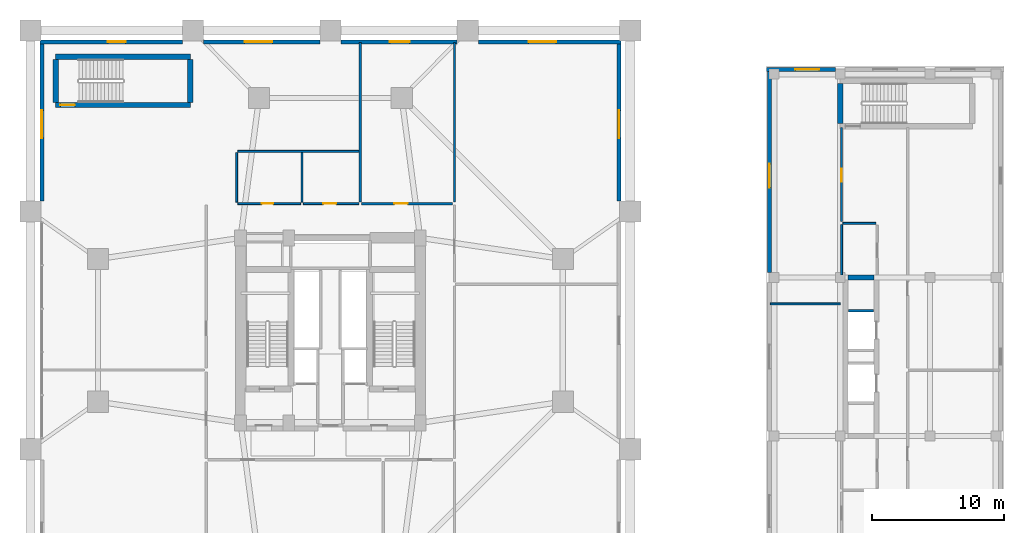
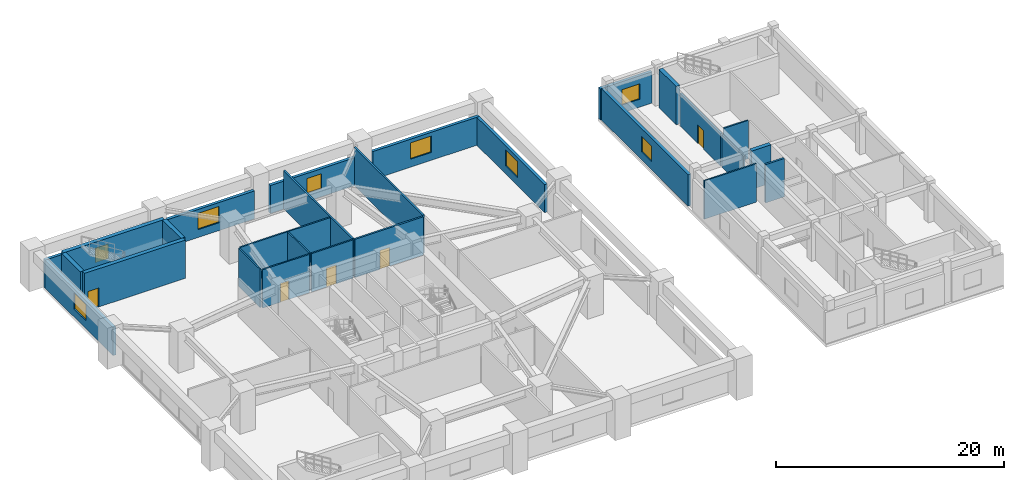
# One storey, part 10 of 16: 27 walls, 8 windows, 5 doors, 13 openings.
"""IFC4 building model written with IfcOpenShell, lengths in metres."""

import ifcopenshell
import ifcopenshell.guid

model = None  # the IFC model being written
_history = None  # IfcOwnerHistory: only IFC2X3 demands one
_inside = {}  # id of a spatial element -> (the spatial element, [elements in it])
_under = {}  # id of a project, library or spatial element -> (it, [spatial elements below it])
_declared = {}  # id of a project -> (the project, [libraries it declares])
_typed = {}  # id of a type object -> (the type object, [elements of that type])
_made_of = {}  # id of a material, layer set ... -> (it, [elements and type objects made of it])


def new_model(schema):
    """Start an empty IFC model of exactly this schema.

    Asked for "IFC4X3", IfcOpenShell would pick the latest addendum, in which some entities
    have other attributes; the version numbers below select the first issue.
    IFC2X3 requires an IfcOwnerHistory on every rooted entity: one is made here for all.
    """
    global model, _history
    if schema == "IFC4X3":
        model = ifcopenshell.file(schema_version=(4, 3, 0, 0))
    else:
        model = ifcopenshell.file(schema=schema)
    _inside.clear()
    _under.clear()
    _declared.clear()
    _typed.clear()
    _made_of.clear()
    _history = None
    if model.schema == "IFC2X3":
        org = make("IfcOrganization", Name="unknown")
        user = make(
            "IfcPersonAndOrganization",
            ThePerson=make("IfcPerson", FamilyName="unknown"),
            TheOrganization=org,
        )
        app = make(
            "IfcApplication",
            ApplicationDeveloper=org,
            Version="unknown",
            ApplicationFullName="unknown",
            ApplicationIdentifier="unknown",
        )
        _history = make(
            "IfcOwnerHistory",
            OwningUser=user,
            OwningApplication=app,
            ChangeAction="ADDED",
            CreationDate=0,
        )
    return model


def make(cls, **values):
    """One entity of the class cls with the attributes given. An attribute that is None is left unset."""
    return model.create_entity(
        cls, **{name: value for name, value in values.items() if value is not None}
    )


def rooted(cls, **values):
    """An entity with a GlobalId (a new one), such as an element, a storey or a relation."""
    return make(cls, GlobalId=ifcopenshell.guid.new(), OwnerHistory=_history, **values)


def si_unit(unit_type, name, prefix=None):
    """IfcSIUnit, for example si_unit("LENGTHUNIT", "METRE", prefix="MILLI")."""
    return make("IfcSIUnit", UnitType=unit_type, Prefix=prefix, Name=name)


def assignment(units):
    """IfcUnitAssignment: the units of a project."""
    return None if units is None else make("IfcUnitAssignment", Units=units)


def point(xyz):
    """IfcCartesianPoint."""
    return None if xyz is None else make("IfcCartesianPoint", Coordinates=xyz)


def direction(xyz):
    """IfcDirection."""
    return None if xyz is None else make("IfcDirection", DirectionRatios=xyz)


def frame(location, z_axis=None, x_axis=None):
    """IfcAxis2Placement3D, a coordinate frame: its origin and axes. An axis left out is left unset."""
    return make(
        "IfcAxis2Placement3D",
        Location=point(location),
        Axis=direction(z_axis),
        RefDirection=direction(x_axis),
    )


def frame_2d(location, x_axis=None):
    """IfcAxis2Placement2D, a coordinate frame in the plane: its origin and x axis."""
    return make(
        "IfcAxis2Placement2D", Location=point(location), RefDirection=direction(x_axis)
    )


def origin():
    """The frame at (0, 0, 0) with its axes left unset."""
    return frame((0.0, 0.0, 0.0))


def place(relative_to, where):
    """IfcLocalPlacement: puts the frame where relative to a parent placement (None: the world)."""
    return make(
        "IfcLocalPlacement", PlacementRelTo=relative_to, RelativePlacement=where
    )


def context(
    kind, dimensions, precision=None, world=None, true_north=None, identifier=None
):
    """IfcGeometricRepresentationContext, for example the 3D "Model" context."""
    return make(
        "IfcGeometricRepresentationContext",
        ContextIdentifier=identifier,
        ContextType=kind,
        CoordinateSpaceDimension=dimensions,
        Precision=precision,
        WorldCoordinateSystem=world,
        TrueNorth=true_north,
    )


def subcontext(parent, identifier, kind, view, scale=None):
    """IfcGeometricRepresentationSubContext, for example "Body" below "Model"."""
    return make(
        "IfcGeometricRepresentationSubContext",
        ContextIdentifier=identifier,
        ContextType=kind,
        ParentContext=parent,
        TargetScale=scale,
        TargetView=view,
    )


def project(units=None, contexts=None):
    """IfcProject with its units and contexts."""
    return rooted(
        "IfcProject",
        Name="project",
        RepresentationContexts=contexts,
        UnitsInContext=assignment(units),
    )


def spatial(cls, under=None, at=None, **own):
    """A site, building, storey or space (cls), placed at a placement, below another one or the project."""
    s = rooted(cls, ObjectPlacement=at, **own)
    if under is not None:
        _under.setdefault(under.id(), (under, []))[1].append(s)
    return s


def profile(cls, at=None, kind="AREA", **sizes):
    """A parametric profile (cls). Its sizes go by their IFC names, for example OverallWidth=200.0."""
    return make(cls, ProfileType=kind, Position=at, **sizes)


def rectangle(**sizes):
    """IfcRectangleProfileDef."""
    return profile("IfcRectangleProfileDef", **sizes)


def extrude(swept, where, along, depth):
    """IfcExtrudedAreaSolid: the profile swept, set in the frame where, extruded along a direction by depth."""
    return make(
        "IfcExtrudedAreaSolid",
        SweptArea=swept,
        Position=where,
        ExtrudedDirection=direction(along),
        Depth=depth,
    )


def shape(context_of_items, identifier, shape_type, items):
    """IfcShapeRepresentation: the items that make up one representation, for example the "Body"."""
    return make(
        "IfcShapeRepresentation",
        ContextOfItems=context_of_items,
        RepresentationIdentifier=identifier,
        RepresentationType=shape_type,
        Items=items,
    )


def source(mapping_origin, context_of_items, identifier, shape_type, items):
    """IfcRepresentationMap: a shape defined once, which mapped items show again and again."""
    return make(
        "IfcRepresentationMap",
        MappingOrigin=mapping_origin,
        MappedRepresentation=shape(context_of_items, identifier, shape_type, items),
    )


def transform(
    local_origin,
    x_axis=None,
    y_axis=None,
    z_axis=None,
    scale=None,
    scale2=None,
    scale3=None,
    uniform=True,
):
    """IfcCartesianTransformationOperator3D, or its non-uniform kind. x_axis, y_axis, z_axis: its Axis1, 2, 3."""
    if uniform:
        return make(
            "IfcCartesianTransformationOperator3D",
            Axis1=direction(x_axis),
            Axis2=direction(y_axis),
            LocalOrigin=point(local_origin),
            Scale=scale,
            Axis3=direction(z_axis),
        )
    return make(
        "IfcCartesianTransformationOperator3DnonUniform",
        Axis1=direction(x_axis),
        Axis2=direction(y_axis),
        LocalOrigin=point(local_origin),
        Scale=scale,
        Axis3=direction(z_axis),
        Scale2=scale2,
        Scale3=scale3,
    )


def mapped(mapping_source, mapping_target):
    """IfcMappedItem: shows the shape of a source again, moved by a transform."""
    return make(
        "IfcMappedItem", MappingSource=mapping_source, MappingTarget=mapping_target
    )


def material(Name=None, Category=None):
    """IfcMaterial."""
    return make("IfcMaterial", Name=Name, Category=Category)


def layer(
    of_material, thickness, ventilated=None, Name=None, Category=None, Priority=None
):
    """IfcMaterialLayer: one layer of a wall or slab, of a material (None: an air gap)."""
    return make(
        "IfcMaterialLayer",
        Material=of_material,
        LayerThickness=thickness,
        IsVentilated=ventilated,
        Name=Name,
        Category=Category,
        Priority=Priority,
    )


def layer_set(layers, Name=None):
    """IfcMaterialLayerSet."""
    return make("IfcMaterialLayerSet", MaterialLayers=layers, LayerSetName=Name)


def made_of(thing, what):
    """Note that an element or type object is made of a material, layer set ...; save() writes the relation."""
    if what is not None:
        _made_of.setdefault(what.id(), (what, []))[1].append(thing)
    return thing


def type_object(cls, material=None, **own):
    """A type object (cls), such as IfcWallType, which elements share."""
    return made_of(rooted(cls, **own), material)


def element(
    cls,
    number,
    at=None,
    inside=None,
    cuts=None,
    type_object=None,
    material=None,
    context=None,
    identifier="Body",
    shape_type=None,
    held_by="IfcProductDefinitionShape",
    body=None,
    shapes=None,
    **own,
):
    """One element of the class cls, such as IfcWall. Its Tag is "e" and its number.

    at: its placement. inside: the storey or other place that contains it. cuts: it is an
    opening in that element (IfcRelVoidsElement). A single representation is given by context,
    identifier, shape_type and body (its items); several are given by shapes. held_by: the class
    of the entity that holds the representations. save() writes the other relations.
    """
    e = rooted(cls, Tag="e%d" % number, ObjectPlacement=at, **own)
    if body is not None:
        shapes = [shape(context, identifier, shape_type, body)]
    if shapes is not None:
        e.Representation = make(held_by, Representations=shapes)
    if inside is not None:
        _inside.setdefault(inside.id(), (inside, []))[1].append(e)
    if cuts is not None:
        rooted(
            "IfcRelVoidsElement", RelatingBuildingElement=cuts, RelatedOpeningElement=e
        )
    if type_object is not None:
        _typed.setdefault(type_object.id(), (type_object, []))[1].append(e)
    return made_of(e, material)


def fill(opening, filler):
    """IfcRelFillsElement: the door or window that sits in an opening."""
    return rooted(
        "IfcRelFillsElement",
        RelatingOpeningElement=opening,
        RelatedBuildingElement=filler,
    )


def aggregate(whole, parts):
    """IfcRelAggregates: a whole, such as a stair, and the parts it consists of."""
    return rooted("IfcRelAggregates", RelatingObject=whole, RelatedObjects=parts)


def save(model, path):
    """Write the relations noted so far, then the file.

    IfcRelAggregates (storeys below a building ...), IfcRelContainedInSpatialStructure (elements
    in a storey), IfcRelDefinesByType, IfcRelAssociatesMaterial and IfcRelDeclares: one each for
    every whole, place, type object, material and project.
    """
    for whole, parts in _under.values():
        aggregate(whole, parts)
    for where, things in _inside.values():
        rooted(
            "IfcRelContainedInSpatialStructure",
            RelatedElements=things,
            RelatingStructure=where,
        )
    for kind, things in _typed.values():
        rooted("IfcRelDefinesByType", RelatedObjects=things, RelatingType=kind)
    for what, things in _made_of.values():
        rooted("IfcRelAssociatesMaterial", RelatedObjects=things, RelatingMaterial=what)
    for by, libraries in _declared.values():
        rooted("IfcRelDeclares", RelatingContext=by, RelatedDefinitions=libraries)
    model.write(path)


model = new_model("IFC4")

# Units and contexts
model_context = context("Model", 3, precision=1e-05, world=origin(), true_north=direction((0.0, 1.0)))
body_context = subcontext(model_context, "Body", "Model", "MODEL_VIEW")
ifc_project = project(units=[si_unit("LENGTHUNIT", "METRE"), si_unit("AREAUNIT", "SQUARE_METRE"), si_unit("VOLUMEUNIT", "CUBIC_METRE"), si_unit("PLANEANGLEUNIT", "RADIAN"), si_unit("MASSUNIT", "GRAM", prefix="KILO")], contexts=[model_context])

# Site, building, storey
site_placement = place(None, origin())
site = spatial("IfcSite", under=ifc_project, at=site_placement, CompositionType="ELEMENT")
building_placement = place(site_placement, origin())
building = spatial("IfcBuilding", under=site, at=building_placement, Name="Veraguas Prism Commons", CompositionType="ELEMENT")
storey_placement = place(building_placement, frame((0.0, 0.0, 9.60009765625)))
storey = spatial("IfcBuildingStorey", under=building, at=storey_placement, Name="L02", CompositionType="ELEMENT", Elevation=9.60009765625)

# Wall, opening, door
ifc_material_1 = material(Name="Concrete C50/60", Category="concrete")
ifc_layer_1 = layer(ifc_material_1, 0.39990234375, Name="Clinic and Mid Core Shear Wall RC 400", Category="concrete")
ifc_layer_set_1 = layer_set([ifc_layer_1], Name="Concrete C50/60")
wall_type_1 = type_object("IfcWallType", Name="Clinic and Mid Core Shear Wall RC 400", PredefinedType="SHEAR", material=ifc_layer_set_1)
wall_1_placement = place(storey_placement, frame((3.199951171875, 41.06005859375, 0.0), z_axis=(0.0, 0.0, 1.0), x_axis=(1.0, 0.0, 0.0)))
wall_1 = element("IfcWall", 1, at=wall_1_placement, inside=storey, type_object=wall_type_1, Name="ST-M2 South Shear Wall L02", PredefinedType="SHEAR", context=body_context, shape_type="SweptSolid", body=[
    extrude(rectangle(XDim=10.199951171875, YDim=0.39990234375, at=frame_2d((5.10009765625, 0.0))), origin(), (0.0, 0.0, 1.0), 4.099853515625),
])
opening_1_placement = place(wall_1_placement, frame((0.35009765625, 0.0, 0.0)))
opening_1 = element("IfcOpeningElement", 2, at=opening_1_placement, cuts=wall_1, Name="Opening DR-05", PredefinedType="OPENING", context=body_context, shape_type="SweptSolid", body=[
    extrude(rectangle(XDim=1.10009765625, YDim=2.030029296875, at=frame_2d((0.550048828125, 1.01513671875))), frame((0.0, 0.2099609375, 0.0), z_axis=(0.0, -1.0, 0.0), x_axis=(1.0, 0.0, 0.0)), (0.0, 0.0, 1.0), 0.419921875),
])
ifc_material_2 = material(Name="Steel fire-rated door assembly", Category="steel")
door_type_1 = type_object("IfcDoorType", Name="Protected Stair and Refuge Fire Door 1100x2030", OperationType="NOTDEFINED", PredefinedType="DOOR", material=ifc_material_2)
shared_shape_1 = source(origin(), body_context, "Body", "SweptSolid", [
    extrude(rectangle(XDim=1.10009765625, YDim=2.030029296875, at=frame_2d((0.550048828125, 1.01513671875))), frame((0.0, 0.02490234375, 0.0), z_axis=(0.0, -1.0, 0.0), x_axis=(1.0, 0.0, 0.0)), (0.0, 0.0, 1.0), 0.050048828125),
])
door_1_placement = place(opening_1_placement, origin())
door_1 = element("IfcDoor", 3, at=door_1_placement, inside=storey, type_object=door_type_1, Name="Metro Stair ST-M2 Door L02", OperationType="SINGLE_SWING_RIGHT", OverallHeight=2.030029296875, OverallWidth=1.10009765625, PredefinedType="DOOR", context=body_context, shape_type="MappedRepresentation", body=[
    mapped(shared_shape_1, transform((0.0, 0.0, 0.0), scale=1.0)),
])
fill(opening_1, door_1)

# Walls
wall_2_placement = place(storey_placement, frame((3.199951171875, 44.7099609375, 0.0), z_axis=(0.0, 0.0, 1.0), x_axis=(1.0, 0.0, 0.0)))
element("IfcWall", 4, at=wall_2_placement, inside=storey, type_object=wall_type_1, Name="ST-M2 North Shear Wall L02", PredefinedType="SHEAR", context=body_context, shape_type="SweptSolid", body=[
    extrude(rectangle(XDim=10.199951171875, YDim=0.39990234375, at=frame_2d((5.10009765625, 0.0))), origin(), (0.0, 0.0, 1.0), 4.099853515625),
])
for number, where, z_axis, x_axis, name in (
    (5, (3.199951171875, 41.260009765625, 0.0), (0.0, 0.0, 1.0), (0.0, 1.0, 0.0), "ST-M2 West Shear Wall L02"),
    (6, (13.39990234375, 41.260009765625, 0.0), (0.0, 0.0, 1.0), (0.0, 1.0, 0.0), "ST-M2 East Shear Wall L02"),
):
    element("IfcWall", number, at=place(storey_placement, frame(where, z_axis=z_axis, x_axis=x_axis)), inside=storey, type_object=wall_type_1, Name=name, PredefinedType="SHEAR", context=body_context, shape_type="SweptSolid", body=[
        extrude(rectangle(XDim=3.25, YDim=0.39990234375, at=frame_2d((1.625, 0.0))), origin(), (0.0, 0.0, 1.0), 4.099853515625),
    ])
wall_3_placement = place(storey_placement, frame((63.199951171875, 28.0, 0.0), z_axis=(0.0, 0.0, 1.0), x_axis=(1.0, 0.0, 0.0)))
element("IfcWall", 7, at=wall_3_placement, inside=storey, type_object=wall_type_1, Name="Health Centre Core North Wall L02", PredefinedType="SHEAR", context=body_context, shape_type="SweptSolid", body=[
    extrude(rectangle(XDim=1.949951171875, YDim=0.39990234375, at=frame_2d((0.97509765625, 0.0))), origin(), (0.0, 0.0, 1.0), 4.099853515625),
])
wall_4_placement = place(storey_placement, frame((62.60009765625, 39.659912109375, 0.0), z_axis=(0.0, 0.0, 1.0), x_axis=(0.0, 1.0, 0.0)))
element("IfcWall", 8, at=wall_4_placement, inside=storey, type_object=wall_type_1, Name="ST-H2 West Shear Wall L02", PredefinedType="SHEAR", context=body_context, shape_type="SweptSolid", body=[
    extrude(rectangle(XDim=3.050048828125, YDim=0.39990234375, at=frame_2d((1.52490234375, 0.0))), origin(), (0.0, 0.0, 1.0), 4.099853515625),
])

# Wall, opening, door
ifc_material_3 = material(Name="Autoclaved aerated masonry block 10 MPa", Category="masonry")
ifc_layer_2 = layer(ifc_material_3, 0.179931640625, Name="Corridor and Inter-Tenancy Partition 180", Category="masonry")
ifc_layer_set_2 = layer_set([ifc_layer_2], Name="Autoclaved aerated masonry block 10 MPa")
wall_type_2 = type_object("IfcWallType", Name="Corridor and Inter-Tenancy Partition 180", PredefinedType="PARTITIONING", material=ifc_layer_set_2)
wall_5_placement = place(storey_placement, frame((26.35009765625, 33.60009765625, 0.0), z_axis=(0.0, 0.0, 1.0), x_axis=(1.0, 0.0, 0.0)))
wall_5 = element("IfcWall", 9, at=wall_5_placement, inside=storey, type_object=wall_type_2, Name="WL-L02-PDPT12", PredefinedType="PARTITIONING", context=body_context, shape_type="SweptSolid", body=[
    extrude(rectangle(XDim=6.89990234375, YDim=0.179931640625, at=frame_2d((3.449951171875, 0.0))), origin(), (0.0, 0.0, 1.0), 4.099853515625),
])
opening_2_placement = place(wall_5_placement, frame((2.5, 0.0, 0.0)))
opening_2 = element("IfcOpeningElement", 10, at=opening_2_placement, cuts=wall_5, Name="Opening DR-13", PredefinedType="OPENING", context=body_context, shape_type="SweptSolid", body=[
    extrude(rectangle(XDim=1.0, YDim=2.010009765625, at=frame_2d((0.5, 1.0048828125))), frame((0.0, 0.099853515625, 0.0), z_axis=(0.0, -1.0, 0.0), x_axis=(1.0, 0.0, 0.0)), (0.0, 0.0, 1.0), 0.199951171875),
])
door_type_2 = type_object("IfcDoorType", Name="Core Accessible WC and Clinic Fire Door 1000x2010", OperationType="NOTDEFINED", PredefinedType="DOOR", material=ifc_material_2)
shared_shape_2 = source(origin(), body_context, "Body", "SweptSolid", [
    extrude(rectangle(XDim=1.0, YDim=2.010009765625, at=frame_2d((0.5, 1.0048828125))), frame((0.0, 0.02490234375, 0.0), z_axis=(0.0, -1.0, 0.0), x_axis=(1.0, 0.0, 0.0)), (0.0, 0.0, 1.0), 0.050048828125),
])
door_2_placement = place(opening_2_placement, origin())
door_2 = element("IfcDoor", 11, at=door_2_placement, inside=storey, type_object=door_type_2, Name="Seminar Room Door L02", OperationType="SINGLE_SWING_LEFT", OverallHeight=2.010009765625, OverallWidth=1.0, PredefinedType="DOOR", context=body_context, shape_type="MappedRepresentation", body=[
    mapped(shared_shape_2, transform((0.0, 0.0, 0.0), scale=1.0)),
])
fill(opening_2, door_2)

# Walls
for number, where, z_axis, x_axis, name in (
    (12, (26.25, 33.719970703125, 0.0), (0.0, 0.0, 1.0), (0.0, 1.0, 0.0), "WL-L02-PDPT14"),
    (13, (33.39990234375, 33.719970703125, 0.0), (0.0, 0.0, 1.0), (0.0, 1.0, 0.0), "WL-L02-PDPT14E"),
):
    element("IfcWall", number, at=place(storey_placement, frame(where, z_axis=z_axis, x_axis=x_axis)), inside=storey, type_object=wall_type_2, Name=name, PredefinedType="PARTITIONING", context=body_context, shape_type="SweptSolid", body=[
        extrude(rectangle(XDim=12.06005859375, YDim=0.179931640625, at=frame_2d((6.030029296875, 0.0))), origin(), (0.0, 0.0, 1.0), 4.099853515625),
    ])

# Wall, opening, door
wall_6_placement = place(storey_placement, frame((62.699951171875, 32.25, 0.0), z_axis=(0.0, 0.0, 1.0), x_axis=(0.0, 1.0, 0.0)))
wall_6 = element("IfcWall", 14, at=wall_6_placement, inside=storey, type_object=wall_type_2, Name="WL-L02-HCPT06", PredefinedType="PARTITIONING", context=body_context, shape_type="SweptSolid", body=[
    extrude(rectangle(XDim=7.10009765625, YDim=0.179931640625, at=frame_2d((3.550048828125, 0.0))), origin(), (0.0, 0.0, 1.0), 3.5),
])
opening_3_placement = place(wall_6_placement, frame((3.0, 0.0, 0.0)))
opening_3 = element("IfcOpeningElement", 15, at=opening_3_placement, cuts=wall_6, Name="Opening DR-13", PredefinedType="OPENING", context=body_context, shape_type="SweptSolid", body=[
    extrude(rectangle(XDim=1.0, YDim=2.010009765625, at=frame_2d((0.5, 1.0048828125))), frame((0.0, 0.099853515625, 0.0), z_axis=(0.0, -1.0, 0.0), x_axis=(1.0, 0.0, 0.0)), (0.0, 0.0, 1.0), 0.199951171875),
])
door_3_placement = place(opening_3_placement, origin())
door_3 = element("IfcDoor", 16, at=door_3_placement, inside=storey, type_object=door_type_2, Name="Digital Radiography X-Ray Suite Door", OperationType="SINGLE_SWING_LEFT", OverallHeight=2.010009765625, OverallWidth=1.0, PredefinedType="DOOR", context=body_context, shape_type="MappedRepresentation", body=[
    mapped(shared_shape_2, transform((0.0, 0.0, 0.0), scale=1.0)),
])
fill(opening_3, door_3)

# Wall, opening, window
ifc_material_4 = material(Name="Precast concrete C40/50", Category="concrete")
ifc_layer_3 = layer(ifc_material_4, 0.300048828125, Name="External Precast Facade Wall 300", Category="concrete")
ifc_layer_set_3 = layer_set([ifc_layer_3], Name="Precast concrete C40/50")
wall_type_3 = type_object("IfcWallType", Name="External Precast Facade Wall 300", PredefinedType="SOLIDWALL", material=ifc_layer_set_3)
wall_7_placement = place(storey_placement, frame((45.85009765625, 33.800048828125, 0.0), z_axis=(0.0, 0.0, 1.0), x_axis=(0.0, 1.0, 0.0)))
wall_7 = element("IfcWall", 17, at=wall_7_placement, inside=storey, type_object=wall_type_3, Name="Podium East Plaza Wall L02-03", PredefinedType="SOLIDWALL", context=body_context, shape_type="SweptSolid", body=[
    extrude(rectangle(XDim=11.89990234375, YDim=0.300048828125, at=frame_2d((5.949951171875, 0.0))), origin(), (0.0, 0.0, 1.0), 3.0),
])
opening_4_placement = place(wall_7_placement, frame((4.75, 0.0, 0.85009765625)))
opening_4 = element("IfcOpeningElement", 18, at=opening_4_placement, cuts=wall_7, Name="Opening WN-07", PredefinedType="OPENING", context=body_context, shape_type="SweptSolid", body=[
    extrude(rectangle(XDim=2.10009765625, YDim=1.75, at=frame_2d((1.050048828125, 0.875))), frame((0.0, 0.159912109375, 0.0), z_axis=(0.0, -1.0, 0.0), x_axis=(1.0, 0.0, 0.0)), (0.0, 0.0, 1.0), 0.320068359375),
])
ifc_material_5 = material(Name="Laminated low-e glass", Category="glass")
window_type_1 = type_object("IfcWindowType", Name="Podium Community Window 2100x1750", PartitioningType="DOUBLE_PANEL_VERTICAL", PredefinedType="WINDOW", material=ifc_material_5)
shared_shape_3 = source(origin(), body_context, "Body", "SweptSolid", [
    extrude(rectangle(XDim=2.10009765625, YDim=1.75, at=frame_2d((1.050048828125, 0.875))), frame((0.0, 0.030029296875, 0.0), z_axis=(0.0, -1.0, 0.0), x_axis=(1.0, 0.0, 0.0)), (0.0, 0.0, 1.0), 0.06005859375),
])
window_1_placement = place(opening_4_placement, origin())
window_1 = element("IfcWindow", 19, at=window_1_placement, inside=storey, type_object=window_type_1, Name="Podium East Window L02-03", OverallHeight=1.75, OverallWidth=2.10009765625, PartitioningType="DOUBLE_PANEL_VERTICAL", PredefinedType="WINDOW", context=body_context, shape_type="MappedRepresentation", body=[
    mapped(shared_shape_3, transform((0.0, 0.0, 0.0), scale=1.0)),
])
fill(opening_4, window_1)

wall_8_placement = place(storey_placement, frame((46.0, 45.85009765625, 0.0), z_axis=(0.0, 0.0, 1.0), x_axis=(-1.0, 0.0, 0.0)))
wall_8 = element("IfcWall", 20, at=wall_8_placement, inside=storey, type_object=wall_type_3, Name="Podium North Facade Wall L02-01", PredefinedType="SOLIDWALL", context=body_context, shape_type="SweptSolid", body=[
    extrude(rectangle(XDim=10.800048828125, YDim=0.300048828125, at=frame_2d((5.39990234375, 0.0))), origin(), (0.0, 0.0, 1.0), 3.0),
])
opening_5_placement = place(wall_8_placement, frame((4.89990234375, 0.0, 0.85009765625)))
opening_5 = element("IfcOpeningElement", 21, at=opening_5_placement, cuts=wall_8, Name="Opening WN-07", PredefinedType="OPENING", context=body_context, shape_type="SweptSolid", body=[
    extrude(rectangle(XDim=2.10009765625, YDim=1.75, at=frame_2d((1.050048828125, 0.875))), frame((0.0, 0.159912109375, 0.0), z_axis=(0.0, -1.0, 0.0), x_axis=(1.0, 0.0, 0.0)), (0.0, 0.0, 1.0), 0.320068359375),
])
window_2_placement = place(opening_5_placement, origin())
window_2 = element("IfcWindow", 22, at=window_2_placement, inside=storey, type_object=window_type_1, Name="Podium North Window L02-01", OverallHeight=1.75, OverallWidth=2.10009765625, PartitioningType="DOUBLE_PANEL_VERTICAL", PredefinedType="WINDOW", context=body_context, shape_type="MappedRepresentation", body=[
    mapped(shared_shape_3, transform((0.0, 0.0, 0.0), scale=1.0)),
])
fill(opening_5, window_2)

wall_9_placement = place(storey_placement, frame((33.60009765625, 45.85009765625, 0.0), z_axis=(0.0, 0.0, 1.0), x_axis=(-1.0, 0.0, 0.0)))
wall_9 = element("IfcWall", 23, at=wall_9_placement, inside=storey, type_object=wall_type_3, Name="Podium North Facade Wall L02-02", PredefinedType="SOLIDWALL", context=body_context, shape_type="SweptSolid", body=[
    extrude(rectangle(XDim=8.800048828125, YDim=0.300048828125, at=frame_2d((4.39990234375, 0.0))), origin(), (0.0, 0.0, 1.0), 3.0),
])
opening_6_placement = place(wall_9_placement, frame((3.60009765625, 0.0, 0.85009765625)))
opening_6 = element("IfcOpeningElement", 24, at=opening_6_placement, cuts=wall_9, Name="Opening WN-05", PredefinedType="OPENING", context=body_context, shape_type="SweptSolid", body=[
    extrude(rectangle(XDim=1.5, YDim=1.60009765625, at=frame_2d((0.75, 0.800048828125))), frame((0.0, 0.159912109375, 0.0), z_axis=(0.0, -1.0, 0.0), x_axis=(1.0, 0.0, 0.0)), (0.0, 0.0, 1.0), 0.320068359375),
])
window_type_2 = type_object("IfcWindowType", Name="Loggia Living Side Window 1500x1600", PartitioningType="DOUBLE_PANEL_VERTICAL", PredefinedType="WINDOW", material=ifc_material_5)
shared_shape_4 = source(origin(), body_context, "Body", "SweptSolid", [
    extrude(rectangle(XDim=1.5, YDim=1.60009765625, at=frame_2d((0.75, 0.800048828125))), frame((0.0, 0.030029296875, 0.0), z_axis=(0.0, -1.0, 0.0), x_axis=(1.0, 0.0, 0.0)), (0.0, 0.0, 1.0), 0.06005859375),
])
window_3_placement = place(opening_6_placement, origin())
window_3 = element("IfcWindow", 25, at=window_3_placement, inside=storey, type_object=window_type_2, Name="Podium North Window L02-02", OverallHeight=1.60009765625, OverallWidth=1.5, PartitioningType="DOUBLE_PANEL_VERTICAL", PredefinedType="WINDOW", context=body_context, shape_type="MappedRepresentation", body=[
    mapped(shared_shape_4, transform((0.0, 0.0, 0.0), scale=1.0)),
])
fill(opening_6, window_3)

wall_10_placement = place(storey_placement, frame((23.199951171875, 45.85009765625, 0.0), z_axis=(0.0, 0.0, 1.0), x_axis=(-1.0, 0.0, 0.0)))
wall_10 = element("IfcWall", 26, at=wall_10_placement, inside=storey, type_object=wall_type_3, Name="Podium North Facade Wall L02-03", PredefinedType="SOLIDWALL", context=body_context, shape_type="SweptSolid", body=[
    extrude(rectangle(XDim=8.800048828125, YDim=0.300048828125, at=frame_2d((4.39990234375, 0.0))), origin(), (0.0, 0.0, 1.0), 3.0),
])
opening_7_placement = place(wall_10_placement, frame((3.60009765625, 0.0, 0.85009765625)))
opening_7 = element("IfcOpeningElement", 27, at=opening_7_placement, cuts=wall_10, Name="Opening WN-07", PredefinedType="OPENING", context=body_context, shape_type="SweptSolid", body=[
    extrude(rectangle(XDim=2.10009765625, YDim=1.75, at=frame_2d((1.050048828125, 0.875))), frame((0.0, 0.159912109375, 0.0), z_axis=(0.0, -1.0, 0.0), x_axis=(1.0, 0.0, 0.0)), (0.0, 0.0, 1.0), 0.320068359375),
])
window_4_placement = place(opening_7_placement, origin())
window_4 = element("IfcWindow", 28, at=window_4_placement, inside=storey, type_object=window_type_1, Name="Podium North Window L02-03", OverallHeight=1.75, OverallWidth=2.10009765625, PartitioningType="DOUBLE_PANEL_VERTICAL", PredefinedType="WINDOW", context=body_context, shape_type="MappedRepresentation", body=[
    mapped(shared_shape_3, transform((0.0, 0.0, 0.0), scale=1.0)),
])
fill(opening_7, window_4)

wall_11_placement = place(storey_placement, frame((12.800048828125, 45.85009765625, 0.0), z_axis=(0.0, 0.0, 1.0), x_axis=(-1.0, 0.0, 0.0)))
wall_11 = element("IfcWall", 29, at=wall_11_placement, inside=storey, type_object=wall_type_3, Name="Podium North Facade Wall L02-04", PredefinedType="SOLIDWALL", context=body_context, shape_type="SweptSolid", body=[
    extrude(rectangle(XDim=10.800048828125, YDim=0.300048828125, at=frame_2d((5.39990234375, 0.0))), origin(), (0.0, 0.0, 1.0), 3.0),
])
opening_8_placement = place(wall_11_placement, frame((4.300048828125, 0.0, 0.85009765625)))
opening_8 = element("IfcOpeningElement", 30, at=opening_8_placement, cuts=wall_11, Name="Opening WN-06", PredefinedType="OPENING", context=body_context, shape_type="SweptSolid", body=[
    extrude(rectangle(XDim=1.35009765625, YDim=1.550048828125, at=frame_2d((0.675048828125, 0.77490234375))), frame((0.0, 0.159912109375, 0.0), z_axis=(0.0, -1.0, 0.0), x_axis=(1.0, 0.0, 0.0)), (0.0, 0.0, 1.0), 0.320068359375),
])
window_type_3 = type_object("IfcWindowType", Name="Loggia Bedroom Side Window 1350x1550", PartitioningType="SINGLE_PANEL", PredefinedType="WINDOW", material=ifc_material_5)
shared_shape_5 = source(origin(), body_context, "Body", "SweptSolid", [
    extrude(rectangle(XDim=1.35009765625, YDim=1.550048828125, at=frame_2d((0.675048828125, 0.77490234375))), frame((0.0, 0.030029296875, 0.0), z_axis=(0.0, -1.0, 0.0), x_axis=(1.0, 0.0, 0.0)), (0.0, 0.0, 1.0), 0.06005859375),
])
window_5_placement = place(opening_8_placement, origin())
window_5 = element("IfcWindow", 31, at=window_5_placement, inside=storey, type_object=window_type_3, Name="Podium North Window L02-04", OverallHeight=1.550048828125, OverallWidth=1.35009765625, PartitioningType="SINGLE_PANEL", PredefinedType="WINDOW", context=body_context, shape_type="MappedRepresentation", body=[
    mapped(shared_shape_5, transform((0.0, 0.0, 0.0), scale=1.0)),
])
fill(opening_8, window_5)

wall_12_placement = place(storey_placement, frame((2.14990234375, 45.699951171875, 0.0), z_axis=(0.0, 0.0, 1.0), x_axis=(0.0, -1.0, 0.0)))
wall_12 = element("IfcWall", 32, at=wall_12_placement, inside=storey, type_object=wall_type_3, Name="Podium West Facade Wall L02-01", PredefinedType="SOLIDWALL", context=body_context, shape_type="SweptSolid", body=[
    extrude(rectangle(XDim=11.89990234375, YDim=0.300048828125, at=frame_2d((5.949951171875, 0.0))), origin(), (0.0, 0.0, 1.0), 3.0),
])
opening_9_placement = place(wall_12_placement, frame((5.050048828125, 0.0, 0.85009765625)))
opening_9 = element("IfcOpeningElement", 33, at=opening_9_placement, cuts=wall_12, Name="Opening WN-07", PredefinedType="OPENING", context=body_context, shape_type="SweptSolid", body=[
    extrude(rectangle(XDim=2.10009765625, YDim=1.75, at=frame_2d((1.050048828125, 0.875))), frame((0.0, 0.159912109375, 0.0), z_axis=(0.0, -1.0, 0.0), x_axis=(1.0, 0.0, 0.0)), (0.0, 0.0, 1.0), 0.320068359375),
])
window_6_placement = place(opening_9_placement, origin())
window_6 = element("IfcWindow", 34, at=window_6_placement, inside=storey, type_object=window_type_1, Name="Podium West Window L02-01", OverallHeight=1.75, OverallWidth=2.10009765625, PartitioningType="DOUBLE_PANEL_VERTICAL", PredefinedType="WINDOW", context=body_context, shape_type="MappedRepresentation", body=[
    mapped(shared_shape_3, transform((0.0, 0.0, 0.0), scale=1.0)),
])
fill(opening_9, window_6)

wall_13_placement = place(storey_placement, frame((62.22509765625, 43.75, 0.0), z_axis=(0.0, 0.0, 1.0), x_axis=(-1.0, 0.0, 0.0)))
wall_13 = element("IfcWall", 35, at=wall_13_placement, inside=storey, type_object=wall_type_3, Name="Health Centre North Wall L02-03", PredefinedType="SOLIDWALL", context=body_context, shape_type="SweptSolid", body=[
    extrude(rectangle(XDim=5.22509765625, YDim=0.300048828125, at=frame_2d((2.612548828125, 0.0))), origin(), (0.0, 0.0, 1.0), 3.349853515625),
])
opening_10_placement = place(wall_13_placement, frame((1.22509765625, 0.0, 0.85009765625)))
opening_10 = element("IfcOpeningElement", 36, at=opening_10_placement, cuts=wall_13, Name="Opening WN-01", PredefinedType="OPENING", context=body_context, shape_type="SweptSolid", body=[
    extrude(rectangle(XDim=1.800048828125, YDim=1.64990234375, at=frame_2d((0.89990234375, 0.824951171875))), frame((0.0, 0.159912109375, 0.0), z_axis=(0.0, -1.0, 0.0), x_axis=(1.0, 0.0, 0.0)), (0.0, 0.0, 1.0), 0.320068359375),
])
window_type_4 = type_object("IfcWindowType", Name="Clinic Consulting Double Window 1800x1650", PartitioningType="DOUBLE_PANEL_VERTICAL", PredefinedType="WINDOW", material=ifc_material_5)
shared_shape_6 = source(origin(), body_context, "Body", "SweptSolid", [
    extrude(rectangle(XDim=1.800048828125, YDim=1.64990234375, at=frame_2d((0.89990234375, 0.824951171875))), frame((0.0, 0.030029296875, 0.0), z_axis=(0.0, -1.0, 0.0), x_axis=(1.0, 0.0, 0.0)), (0.0, 0.0, 1.0), 0.06005859375),
])
window_7_placement = place(opening_10_placement, origin())
window_7 = element("IfcWindow", 37, at=window_7_placement, inside=storey, type_object=window_type_4, Name="Health Centre North Window L02-03", OverallHeight=1.64990234375, OverallWidth=1.800048828125, PartitioningType="DOUBLE_PANEL_VERTICAL", PredefinedType="WINDOW", context=body_context, shape_type="MappedRepresentation", body=[
    mapped(shared_shape_6, transform((0.0, 0.0, 0.0), scale=1.0)),
])
fill(opening_10, window_7)

wall_14_placement = place(storey_placement, frame((57.25, 43.60009765625, 0.0), z_axis=(0.0, 0.0, 1.0), x_axis=(0.0, -1.0, 0.0)))
wall_14 = element("IfcWall", 38, at=wall_14_placement, inside=storey, type_object=wall_type_3, Name="Health Centre West Plaza Wall L02-01", PredefinedType="SOLIDWALL", context=body_context, shape_type="SweptSolid", body=[
    extrude(rectangle(XDim=15.22509765625, YDim=0.300048828125, at=frame_2d((7.612548828125, 0.0))), origin(), (0.0, 0.0, 1.0), 3.349853515625),
])
opening_11_placement = place(wall_14_placement, frame((7.0, 0.0, 0.85009765625)))
opening_11 = element("IfcOpeningElement", 39, at=opening_11_placement, cuts=wall_14, Name="Opening WN-01", PredefinedType="OPENING", context=body_context, shape_type="SweptSolid", body=[
    extrude(rectangle(XDim=1.800048828125, YDim=1.64990234375, at=frame_2d((0.89990234375, 0.824951171875))), frame((0.0, 0.159912109375, 0.0), z_axis=(0.0, -1.0, 0.0), x_axis=(1.0, 0.0, 0.0)), (0.0, 0.0, 1.0), 0.320068359375),
])
window_8_placement = place(opening_11_placement, origin())
window_8 = element("IfcWindow", 40, at=window_8_placement, inside=storey, type_object=window_type_4, Name="Health Centre West Window L02-01", OverallHeight=1.64990234375, OverallWidth=1.800048828125, PartitioningType="DOUBLE_PANEL_VERTICAL", PredefinedType="WINDOW", context=body_context, shape_type="MappedRepresentation", body=[
    mapped(shared_shape_6, transform((0.0, 0.0, 0.0), scale=1.0)),
])
fill(opening_11, window_8)

# Wall
ifc_layer_4 = layer(ifc_material_3, 0.199951171875, Name="Rated Shaft and Lobby Block Wall 200", Category="masonry")
ifc_layer_set_4 = layer_set([ifc_layer_4], Name="Autoclaved aerated masonry block 10 MPa")
wall_type_4 = type_object("IfcWallType", Name="Rated Shaft and Lobby Block Wall 200", PredefinedType="SOLIDWALL", material=ifc_layer_set_4)
wall_15_placement = place(storey_placement, frame((63.219970703125, 25.5, 0.0), z_axis=(0.0, 0.0, 1.0), x_axis=(1.0, 0.0, 0.0)))
element("IfcWall", 41, at=wall_15_placement, inside=storey, type_object=wall_type_4, Name="Health Centre Lift Shaft Divider Wall L02-CL2N", PredefinedType="SOLIDWALL", context=body_context, shape_type="SweptSolid", body=[
    extrude(rectangle(XDim=1.909912109375, YDim=0.199951171875, at=frame_2d((0.955078125, 0.0))), origin(), (0.0, 0.0, 1.0), 4.099853515625),
])

# Wall, opening, door
ifc_material_6 = material(Name="Lightweight acoustic gypsum board")
ifc_layer_5 = layer(ifc_material_6, 0.14990234375, Name="Wet Room and Clinic Acoustic Partition 150")
ifc_layer_set_5 = layer_set([ifc_layer_5], Name="Lightweight acoustic gypsum board")
wall_type_5 = type_object("IfcWallType", Name="Wet Room and Clinic Acoustic Partition 150", PredefinedType="PARTITIONING", material=ifc_layer_set_5)
wall_16_placement = place(storey_placement, frame((17.0, 33.60009765625, 0.0), z_axis=(0.0, 0.0, 1.0), x_axis=(1.0, 0.0, 0.0)))
wall_16 = element("IfcWall", 42, at=wall_16_placement, inside=storey, type_object=wall_type_5, Name="WL-L02-PDPT10", PredefinedType="PARTITIONING", context=body_context, shape_type="SweptSolid", body=[
    extrude(rectangle(XDim=4.75, YDim=0.14990234375, at=frame_2d((2.375, 0.0))), origin(), (0.0, 0.0, 1.0), 4.099853515625),
])
opening_12_placement = place(wall_16_placement, frame((1.800048828125, 0.0, 0.0)))
opening_12 = element("IfcOpeningElement", 43, at=opening_12_placement, cuts=wall_16, Name="Opening DR-12", PredefinedType="OPENING", context=body_context, shape_type="SweptSolid", body=[
    extrude(rectangle(XDim=0.860107421875, YDim=2.010009765625, at=frame_2d((0.43017578125, 1.0048828125))), frame((0.0, 0.0849609375, 0.0), z_axis=(0.0, -1.0, 0.0), x_axis=(1.0, 0.0, 0.0)), (0.0, 0.0, 1.0), 0.169921875),
])
door_type_3 = type_object("IfcDoorType", Name="Core WC Fire Door 860x2010", OperationType="NOTDEFINED", PredefinedType="DOOR", material=ifc_material_2)
shared_shape_7 = source(origin(), body_context, "Body", "SweptSolid", [
    extrude(rectangle(XDim=0.860107421875, YDim=2.010009765625, at=frame_2d((0.43017578125, 1.0048828125))), frame((0.0, 0.02490234375, 0.0), z_axis=(0.0, -1.0, 0.0), x_axis=(1.0, 0.0, 0.0)), (0.0, 0.0, 1.0), 0.050048828125),
])
door_4_placement = place(opening_12_placement, origin())
door_4 = element("IfcDoor", 44, at=door_4_placement, inside=storey, type_object=door_type_3, Name="Podium WC Door L02", OperationType="SINGLE_SWING_LEFT", OverallHeight=2.010009765625, OverallWidth=0.860107421875, PredefinedType="DOOR", context=body_context, shape_type="MappedRepresentation", body=[
    mapped(shared_shape_7, transform((0.0, 0.0, 0.0), scale=1.0)),
])
fill(opening_12, door_4)

wall_17_placement = place(storey_placement, frame((21.949951171875, 33.60009765625, 0.0), z_axis=(0.0, 0.0, 1.0), x_axis=(1.0, 0.0, 0.0)))
wall_17 = element("IfcWall", 45, at=wall_17_placement, inside=storey, type_object=wall_type_5, Name="WL-L02-PDPT11", PredefinedType="PARTITIONING", context=body_context, shape_type="SweptSolid", body=[
    extrude(rectangle(XDim=4.199951171875, YDim=0.14990234375, at=frame_2d((2.10009765625, 0.0))), origin(), (0.0, 0.0, 1.0), 4.099853515625),
])
opening_13_placement = place(wall_17_placement, frame((1.5, 0.0, 0.0)))
opening_13 = element("IfcOpeningElement", 46, at=opening_13_placement, cuts=wall_17, Name="Opening DR-13", PredefinedType="OPENING", context=body_context, shape_type="SweptSolid", body=[
    extrude(rectangle(XDim=1.0, YDim=2.010009765625, at=frame_2d((0.5, 1.0048828125))), frame((0.0, 0.0849609375, 0.0), z_axis=(0.0, -1.0, 0.0), x_axis=(1.0, 0.0, 0.0)), (0.0, 0.0, 1.0), 0.169921875),
])
door_5_placement = place(opening_13_placement, origin())
door_5 = element("IfcDoor", 47, at=door_5_placement, inside=storey, type_object=door_type_2, Name="Podium Accessible WC Door L02", OperationType="SINGLE_SWING_RIGHT", OverallHeight=2.010009765625, OverallWidth=1.0, PredefinedType="DOOR", context=body_context, shape_type="MappedRepresentation", body=[
    mapped(shared_shape_2, transform((0.0, 0.0, 0.0), scale=1.0)),
])
fill(opening_13, door_5)

# Walls
for number, where, z_axis, x_axis, name in (
    (48, (16.89990234375, 33.719970703125, 0.0), (0.0, 0.0, 1.0), (0.0, 1.0, 0.0), "WL-L02-PDPT13W"),
    (49, (21.85009765625, 33.719970703125, 0.0), (0.0, 0.0, 1.0), (0.0, 1.0, 0.0), "WL-L02-PDPT13"),
):
    element("IfcWall", number, at=place(storey_placement, frame(where, z_axis=z_axis, x_axis=x_axis)), inside=storey, type_object=wall_type_5, Name=name, PredefinedType="PARTITIONING", context=body_context, shape_type="SweptSolid", body=[
        extrude(rectangle(XDim=3.72998046875, YDim=0.14990234375, at=frame_2d((1.864990234375, 0.0))), origin(), (0.0, 0.0, 1.0), 4.099853515625),
    ])
wall_18_placement = place(storey_placement, frame((17.0, 37.550048828125, 0.0), z_axis=(0.0, 0.0, 1.0), x_axis=(1.0, 0.0, 0.0)))
element("IfcWall", 50, at=wall_18_placement, inside=storey, type_object=wall_type_5, Name="WL-L02-PDPT15", PredefinedType="PARTITIONING", context=body_context, shape_type="SweptSolid", body=[
    extrude(rectangle(XDim=9.14990234375, YDim=0.14990234375, at=frame_2d((4.574951171875, 0.0))), origin(), (0.0, 0.0, 1.0), 4.099853515625),
])
wall_19_placement = place(storey_placement, frame((62.800048828125, 32.10009765625, 0.0), z_axis=(0.0, 0.0, 1.0), x_axis=(1.0, 0.0, 0.0)))
element("IfcWall", 51, at=wall_19_placement, inside=storey, type_object=wall_type_5, Name="WL-L02-HCPT03", PredefinedType="PARTITIONING", context=body_context, shape_type="SweptSolid", body=[
    extrude(rectangle(XDim=2.5, YDim=0.14990234375, at=frame_2d((1.25, 0.0))), origin(), (0.0, 0.0, 1.0), 4.099853515625),
])
wall_20_placement = place(storey_placement, frame((62.699951171875, 28.199951171875, 0.0), z_axis=(0.0, 0.0, 1.0), x_axis=(0.0, 1.0, 0.0)))
element("IfcWall", 52, at=wall_20_placement, inside=storey, type_object=wall_type_5, Name="WL-L02-HCPT03W", PredefinedType="PARTITIONING", context=body_context, shape_type="SweptSolid", body=[
    extrude(rectangle(XDim=3.800048828125, YDim=0.14990234375, at=frame_2d((1.89990234375, 0.0))), origin(), (0.0, 0.0, 1.0), 3.5),
])
wall_21_placement = place(storey_placement, frame((57.320068359375, 26.0, 0.0), z_axis=(0.0, 0.0, 1.0), x_axis=(1.0, 0.0, 0.0)))
element("IfcWall", 53, at=wall_21_placement, inside=storey, type_object=wall_type_5, Name="WL-L02-HCPT07", PredefinedType="PARTITIONING", context=body_context, shape_type="SweptSolid", body=[
    extrude(rectangle(XDim=5.300048828125, YDim=0.14990234375, at=frame_2d((2.64990234375, 0.0))), origin(), (0.0, 0.0, 1.0), 4.099853515625),
])

save(model, "model.ifc")
